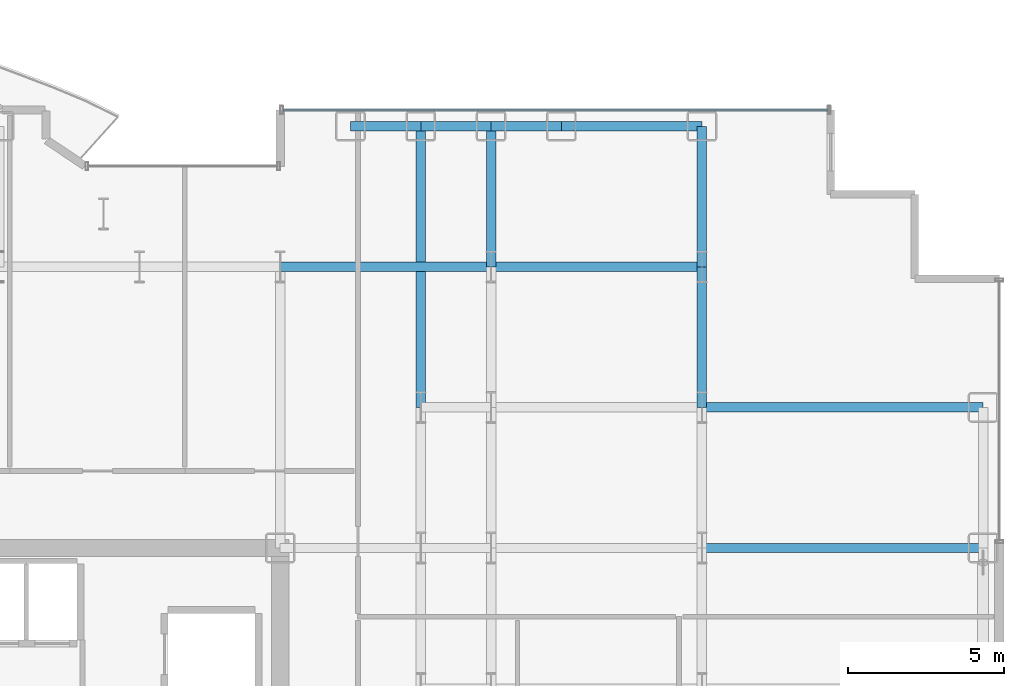
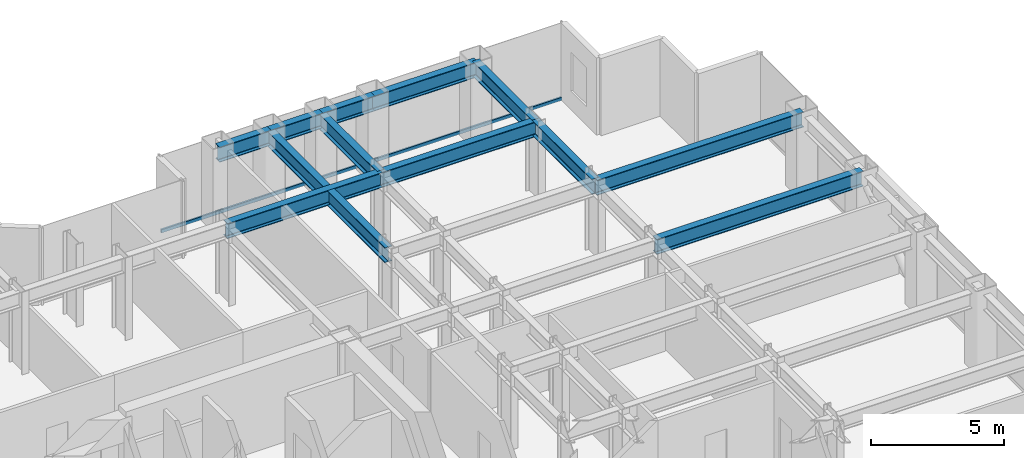
# One storey, part 16 of 29: 12 beams, 1 member, 1 element without a shape of its own.
"""IFC4 building model written with IfcOpenShell, lengths in metres."""

from ifc_helpers import new_model, si_unit, direction, frame, origin, origin_2d, place, context, subcontext, project, spatial, hollow_rectangle, i_section, extrude, source, transform, mapped, material, layer, layer_set, material_profile, profile_set, type_object, element, aggregate, save


model = new_model("IFC4")

# Units and contexts
model_context = context("Model", 3, precision=1e-05, world=origin(), true_north=direction((0.0, 1.0)))
body_context = subcontext(model_context, "Body", "Model", "MODEL_VIEW")
ifc_project = project(units=[si_unit("LENGTHUNIT", "METRE"), si_unit("AREAUNIT", "SQUARE_METRE"), si_unit("VOLUMEUNIT", "CUBIC_METRE"), si_unit("PLANEANGLEUNIT", "RADIAN"), si_unit("MASSUNIT", "GRAM", prefix="KILO")], contexts=[model_context])

# Site, building, storey
site_placement = place(None, origin())
site = spatial("IfcSite", under=ifc_project, at=site_placement, CompositionType="ELEMENT")
building_placement = place(site_placement, origin())
building = spatial("IfcBuilding", under=site, at=building_placement, Name="Nefas-Gora Pilgrimage Tower", CompositionType="ELEMENT")
storey_placement = place(building_placement, frame((0.0, 0.0, 90.800048828125)))
storey = spatial("IfcBuildingStorey", under=building, at=storey_placement, Name="L21", CompositionType="ELEMENT", Elevation=90.800048828125)

# Beams
ifc_material_1 = material(Name="Steel S355", Category="steel")
ifc_material_profile_1 = material_profile(ifc_material_1, i_section(OverallWidth=0.300048828125, OverallDepth=0.699951171875, WebThickness=0.01708984375, FlangeThickness=0.031982421875, FilletRadius=0.027099609375, at=origin_2d()), Name="HEB 700")
ifc_profile_set_1 = profile_set([ifc_material_profile_1], Name="Steel S355")
beam_type_1 = type_object("IfcBeamType", Name="BM-SPN-HEB600", PredefinedType="SPANDREL", material=ifc_profile_set_1)
shared_shape_1 = source(origin(), body_context, "Body", "SweptSolid", [
    extrude(i_section(OverallWidth=0.300048828125, OverallDepth=0.699951171875, WebThickness=0.01708984375, FlangeThickness=0.031982421875, FilletRadius=0.027099609375, at=origin_2d()), origin(), (0.0, 0.0, 1.0), 4.5),
])
beam_placement = place(storey_placement, frame((20.25, 22.5, 3.199951171875), z_axis=(1.0, 0.0, 0.0), x_axis=(0.0, 1.0, 0.0)))
element("IfcBeam", 1, at=beam_placement, inside=storey, type_object=beam_type_1, Name="L21 SP-01 beam", PredefinedType="SPANDREL", context=body_context, shape_type="MappedRepresentation", body=[
    mapped(shared_shape_1, transform((0.0, 0.0, 0.0), x_axis=(1.0, 0.0, 0.0), y_axis=(0.0, 1.0, 0.0), z_axis=(0.0, 0.0, 1.0), scale=1.0)),
])
ifc_material_profile_2 = material_profile(ifc_material_1, i_section(OverallWidth=0.300048828125, OverallDepth=0.699951171875, WebThickness=0.01708984375, FlangeThickness=0.031982421875, FilletRadius=0.027099609375, at=origin_2d()), Name="HEB 700")
ifc_profile_set_2 = profile_set([ifc_material_profile_2], Name="Steel S355")
beam_type_2 = type_object("IfcBeamType", Name="BM-GIR-HEB700", PredefinedType="BEAM", material=ifc_profile_set_2)
shared_shape_2 = source(origin(), body_context, "Body", "SweptSolid", [
    extrude(i_section(OverallWidth=0.300048828125, OverallDepth=0.699951171875, WebThickness=0.01708984375, FlangeThickness=0.031982421875, FilletRadius=0.027099609375, at=origin_2d()), origin(), (0.0, 0.0, 1.0), 9.0),
])
for number, where, z_axis, x_axis, name in (
    (2, (15.75, 13.5, 3.199951171875), (0.0, 1.0, 0.0), (-1.0, 0.0, 0.0), "L21 G-02 beam"),
    (3, (24.75, 9.0, 3.199951171875), (1.0, 0.0, 0.0), (0.0, 1.0, 0.0), "L21 G-02 beam"),
    (4, (24.75, 13.5, 3.199951171875), (1.0, 0.0, 0.0), (0.0, 1.0, 0.0), "L21 G-02 beam"),
):
    element("IfcBeam", number, at=place(storey_placement, frame(where, z_axis=z_axis, x_axis=x_axis)), inside=storey, type_object=beam_type_2, Name=name, PredefinedType="BEAM", context=body_context, shape_type="MappedRepresentation", body=[
        mapped(shared_shape_2, transform((0.0, 0.0, 0.0), x_axis=(1.0, 0.0, 0.0), y_axis=(0.0, 1.0, 0.0), z_axis=(0.0, 0.0, 1.0), scale=1.0)),
    ])
shared_shape_3 = source(origin(), body_context, "Body", "SweptSolid", [
    extrude(i_section(OverallWidth=0.300048828125, OverallDepth=0.699951171875, WebThickness=0.01708984375, FlangeThickness=0.031982421875, FilletRadius=0.027099609375, at=origin_2d()), origin(), (0.0, 0.0, 1.0), 4.5),
])
for number, where, z_axis, x_axis, name in (
    (5, (18.0, 18.0, 3.199951171875), (0.0, 1.0, 0.0), (-1.0, 0.0, 0.0), "L21 G-02 beam"),
    (6, (24.75, 13.5, 3.199951171875), (0.0, 1.0, 0.0), (-1.0, 0.0, 0.0), "L21 G-02 beam"),
    (7, (24.75, 18.0, 3.199951171875), (0.0, 1.0, 0.0), (-1.0, 0.0, 0.0), "L21 G-02 beam"),
):
    element("IfcBeam", number, at=place(storey_placement, frame(where, z_axis=z_axis, x_axis=x_axis)), inside=storey, type_object=beam_type_2, Name=name, PredefinedType="BEAM", context=body_context, shape_type="MappedRepresentation", body=[
        mapped(shared_shape_3, transform((0.0, 0.0, 0.0), x_axis=(1.0, 0.0, 0.0), y_axis=(0.0, 1.0, 0.0), z_axis=(0.0, 0.0, 1.0), scale=1.0)),
    ])
shared_shape_4 = source(origin(), body_context, "Body", "SweptSolid", [
    extrude(i_section(OverallWidth=0.300048828125, OverallDepth=0.699951171875, WebThickness=0.01708984375, FlangeThickness=0.031982421875, FilletRadius=0.027099609375, at=origin_2d()), origin(), (0.0, 0.0, 1.0), 6.75),
])
for number, where, z_axis, x_axis, name in (
    (8, (11.25, 18.0, 3.199951171875), (1.0, 0.0, 0.0), (0.0, 1.0, 0.0), "L21 G-02 beam"),
    (9, (18.0, 18.0, 3.199951171875), (1.0, 0.0, 0.0), (0.0, 1.0, 0.0), "L21 G-02 beam"),
):
    element("IfcBeam", number, at=place(storey_placement, frame(where, z_axis=z_axis, x_axis=x_axis)), inside=storey, type_object=beam_type_2, Name=name, PredefinedType="BEAM", context=body_context, shape_type="MappedRepresentation", body=[
        mapped(shared_shape_4, transform((0.0, 0.0, 0.0), x_axis=(1.0, 0.0, 0.0), y_axis=(0.0, 1.0, 0.0), z_axis=(0.0, 0.0, 1.0), scale=1.0)),
    ])
shared_shape_5 = source(origin(), body_context, "Body", "SweptSolid", [
    extrude(i_section(OverallWidth=0.300048828125, OverallDepth=0.699951171875, WebThickness=0.01708984375, FlangeThickness=0.031982421875, FilletRadius=0.027099609375, at=origin_2d()), origin(), (0.0, 0.0, 1.0), 2.25),
])
for number, where, z_axis, x_axis, name in (
    (10, (13.5, 22.5, 3.199951171875), (1.0, 0.0, 0.0), (0.0, 1.0, 0.0), "L21 SP-01 beam"),
    (11, (15.75, 22.5, 3.199951171875), (1.0, 0.0, 0.0), (0.0, 1.0, 0.0), "L21 SP-01 beam"),
    (12, (18.0, 22.5, 3.199951171875), (1.0, 0.0, 0.0), (0.0, 1.0, 0.0), "L21 SP-01 beam"),
):
    element("IfcBeam", number, at=place(storey_placement, frame(where, z_axis=z_axis, x_axis=x_axis)), inside=storey, type_object=beam_type_1, Name=name, PredefinedType="SPANDREL", context=body_context, shape_type="MappedRepresentation", body=[
        mapped(shared_shape_5, transform((0.0, 0.0, 0.0), x_axis=(1.0, 0.0, 0.0), y_axis=(0.0, 1.0, 0.0), z_axis=(0.0, 0.0, 1.0), scale=1.0)),
    ])

# Curtain wall, member
ifc_material_2 = material(Name="Dark ceramic-fritted solar-control aluminium-glass curtain wall", Category="aluminium")
ifc_layer = layer(ifc_material_2, 0.219970703125)
ifc_layer_set = layer_set([ifc_layer], Name="Dark ceramic-fritted solar-control aluminium-glass curtain wall")
curtain_wall_type = type_object("IfcCurtainWallType", Name="CW-SYS-2", PredefinedType="NOTDEFINED", material=ifc_layer_set)
curtain_wall_placement = place(storey_placement, origin())
curtain_wall = element("IfcCurtainWall", 13, at=curtain_wall_placement, inside=storey, type_object=curtain_wall_type, Name="L21 Unitised Curtain Wall CW2", PredefinedType="NOTDEFINED")
ifc_material_3 = material(Name="Anodised architectural aluminium", Category="aluminium")
ifc_material_profile_3 = material_profile(ifc_material_3, hollow_rectangle(XDim=0.080078125, YDim=0.159912109375, WallThickness=0.00439453125, InnerFilletRadius=0.00439453125, OuterFilletRadius=0.009033203125, at=origin_2d()), Name="ALU TRANSOM 80x160")
ifc_profile_set_3 = profile_set([ifc_material_profile_3], Name="Anodised architectural aluminium")
member_type = type_object("IfcMemberType", Name="CWM-TRN-2", PredefinedType="USERDEFINED", material=ifc_profile_set_3)
shared_shape_6 = source(origin(), body_context, "Body", "SweptSolid", [
    extrude(hollow_rectangle(XDim=0.080078125, YDim=0.159912109375, WallThickness=0.00439453125, InnerFilletRadius=0.00439453125, OuterFilletRadius=0.009033203125, at=origin_2d()), origin(), (0.0, 0.0, 1.0), 17.43994140625),
])
member_placement = place(storey_placement, frame((28.780029296875, 23.02001953125, 0.050048828125), z_axis=(-1.0, 0.0, 0.0), x_axis=(0.0, -1.0, 0.0)))
member = element("IfcMember", 14, at=member_placement, type_object=member_type, Name="CW2 Spandrel Transom", ObjectType="TRANSOM", PredefinedType="USERDEFINED", context=body_context, shape_type="MappedRepresentation", body=[
    mapped(shared_shape_6, transform((0.0, 0.0, 0.0), x_axis=(1.0, 0.0, 0.0), y_axis=(0.0, 1.0, 0.0), z_axis=(0.0, 0.0, 1.0), scale=1.0)),
])
aggregate(curtain_wall, [member])

save(model, "model.ifc")
